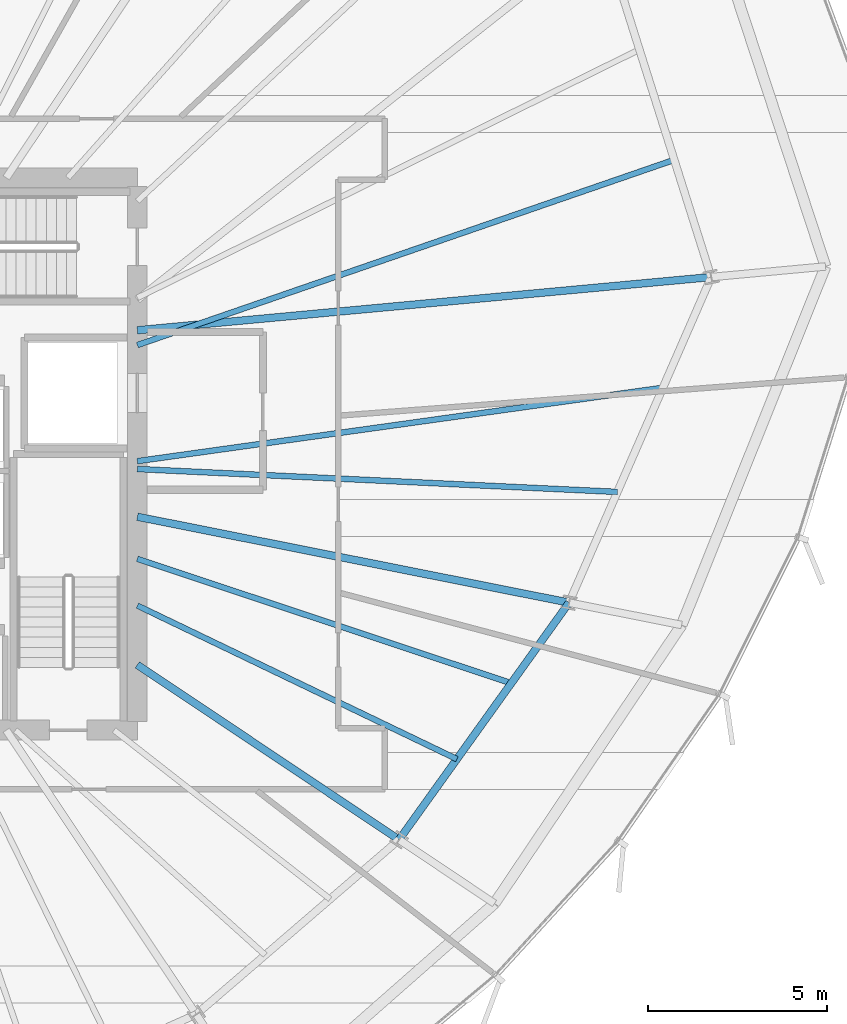
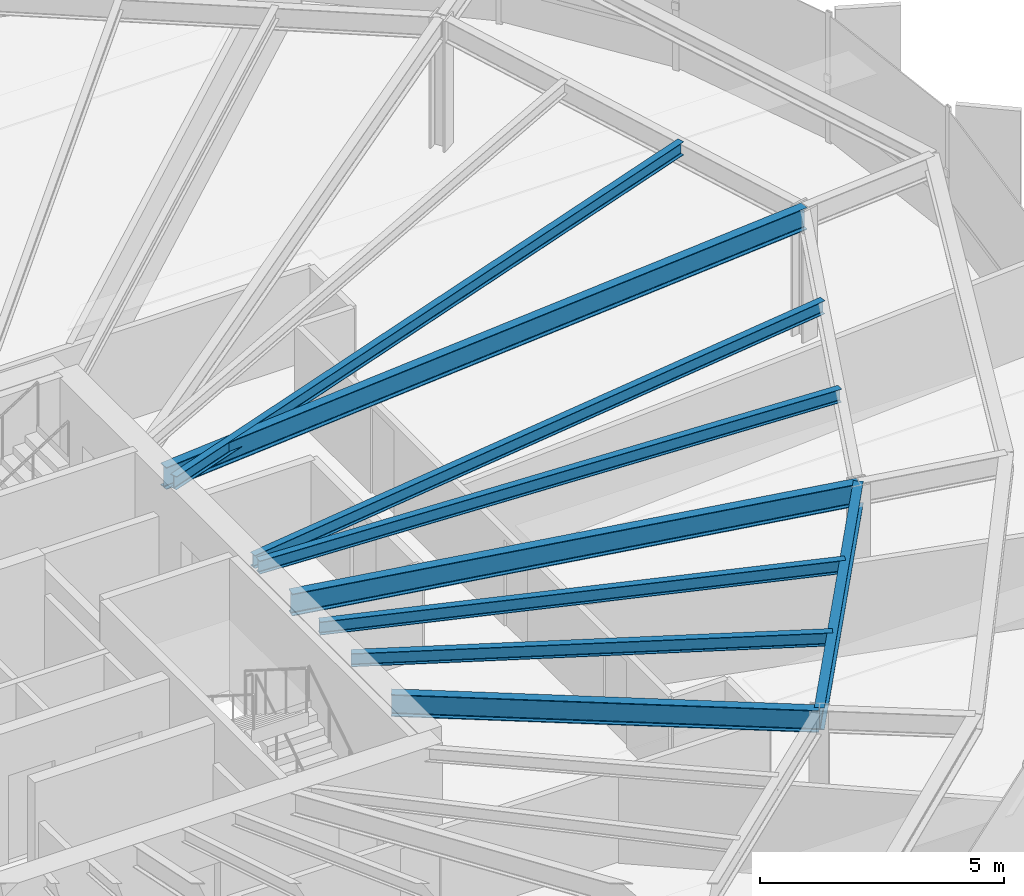
# One storey, part 15 of 35: 9 beams.
"""IFC4 building model written with IfcOpenShell, lengths in metres."""

from ifc_helpers import new_model, si_unit, direction, frame, origin, origin_2d, place, context, subcontext, project, spatial, i_section, extrude, source, transform, mapped, material, material_profile, profile_set, type_object, element, save


model = new_model("IFC4")

# Units and contexts
model_context = context("Model", 3, precision=1e-05, world=origin(), true_north=direction((0.0, 1.0)))
body_context = subcontext(model_context, "Body", "Model", "MODEL_VIEW")
ifc_project = project(units=[si_unit("LENGTHUNIT", "METRE"), si_unit("AREAUNIT", "SQUARE_METRE"), si_unit("VOLUMEUNIT", "CUBIC_METRE"), si_unit("PLANEANGLEUNIT", "RADIAN"), si_unit("MASSUNIT", "GRAM", prefix="KILO"), si_unit("THERMODYNAMICTEMPERATUREUNIT", "KELVIN")], contexts=[model_context])

# Site, building, storey
site_placement = place(None, origin())
site = spatial("IfcSite", under=ifc_project, at=site_placement, CompositionType="ELEMENT")
building_placement = place(site_placement, origin())
building = spatial("IfcBuilding", under=site, at=building_placement, Name="Kethvar Cultural Tower", CompositionType="ELEMENT")
storey_placement = place(building_placement, frame((0.0, 0.0, 146.550048828125)))
storey = spatial("IfcBuildingStorey", under=building, at=storey_placement, Name="L37", CompositionType="ELEMENT", Elevation=146.550048828125)

# Beams
ifc_material = material(Name="Steel S355J2", Category="steel")
ifc_material_profile_1 = material_profile(ifc_material, i_section(OverallWidth=0.2099609375, OverallDepth=0.550048828125, WebThickness=0.010986328125, FlangeThickness=0.01708984375, FilletRadius=0.02392578125, at=origin_2d()), Name="Steel S355J2 — IPE550")
ifc_profile_set_1 = profile_set([ifc_material_profile_1], Name="Steel S355J2 — IPE550")
beam_type_1 = type_object("IfcBeamType", Name="BM-IPE550", PredefinedType="BEAM", material=ifc_profile_set_1)
shared_shape_1 = source(origin(), body_context, "Body", "SweptSolid", [
    extrude(i_section(OverallWidth=0.2099609375, OverallDepth=0.550048828125, WebThickness=0.010986328125, FlangeThickness=0.01708984375, FilletRadius=0.02392578125, at=origin_2d()), origin(), (0.0, 0.0, 1.0), 16.071044921875),
])
beam_1_placement = place(storey_placement, frame((55.60009765625, 31.25, 3.02294921875), z_axis=(0.995731009363, 0.092302529718, 0.0), x_axis=(-0.092302529718, 0.995731009363, 0.0)))
element("IfcBeam", 1, at=beam_1_placement, inside=storey, type_object=beam_type_1, Name="L37 Primary Radial Beam RB-01", PredefinedType="BEAM", context=body_context, shape_type="MappedRepresentation", body=[
    mapped(shared_shape_1, transform((0.0, 0.0, 0.0), scale=1.0)),
])
shared_shape_2 = source(origin(), body_context, "Body", "SweptSolid", [
    extrude(i_section(OverallWidth=0.2099609375, OverallDepth=0.550048828125, WebThickness=0.010986328125, FlangeThickness=0.01708984375, FilletRadius=0.02392578125, at=origin_2d()), origin(), (0.0, 0.0, 1.0), 8.77783203125),
])
beam_2_placement = place(storey_placement, frame((55.60009765625, 21.919921875, 3.02294921875), z_axis=(0.831472186778, -0.555566380026, 0.0), x_axis=(0.555566380026, 0.831472186778, 0.0)))
element("IfcBeam", 2, at=beam_2_placement, inside=storey, type_object=beam_type_1, Name="L37 Primary Radial Beam RB-15", PredefinedType="BEAM", context=body_context, shape_type="MappedRepresentation", body=[
    mapped(shared_shape_2, transform((0.0, 0.0, 0.0), scale=1.0)),
])
shared_shape_3 = source(origin(), body_context, "Body", "SweptSolid", [
    extrude(i_section(OverallWidth=0.2099609375, OverallDepth=0.550048828125, WebThickness=0.010986328125, FlangeThickness=0.01708984375, FilletRadius=0.02392578125, at=origin_2d()), origin(), (0.0, 0.0, 1.0), 12.2744140625),
])
beam_3_placement = place(storey_placement, frame((55.60009765625, 26.049560546875, 3.02294921875), z_axis=(0.980782878234, -0.195102398146, 0.0), x_axis=(0.195102398146, 0.980782878234, 0.0)))
element("IfcBeam", 3, at=beam_3_placement, inside=storey, type_object=beam_type_1, Name="L37 Primary Radial Beam RB-16", PredefinedType="BEAM", context=body_context, shape_type="MappedRepresentation", body=[
    mapped(shared_shape_3, transform((0.0, 0.0, 0.0), scale=1.0)),
])
ifc_material_profile_2 = material_profile(ifc_material, i_section(OverallWidth=0.159912109375, OverallDepth=0.330078125, WebThickness=0.007568359375, FlangeThickness=0.011474609375, FilletRadius=0.01806640625, at=origin_2d()), Name="Steel S355J2 — IPE330")
ifc_profile_set_2 = profile_set([ifc_material_profile_2], Name="Steel S355J2 — IPE330")
beam_type_2 = type_object("IfcBeamType", Name="BM-J330", PredefinedType="JOIST", material=ifc_profile_set_2)
shared_shape_4 = source(origin(), body_context, "Body", "SweptSolid", [
    extrude(i_section(OverallWidth=0.159912109375, OverallDepth=0.330078125, WebThickness=0.007568359375, FlangeThickness=0.011474609375, FilletRadius=0.01806640625, at=origin_2d()), origin(), (0.0, 0.0, 1.0), 15.836669921875),
])
beam_4_placement = place(storey_placement, frame((55.60009765625, 30.836181640625, 3.133056640625), z_axis=(0.945315135904, 0.326158387644, 0.0), x_axis=(-0.326158387644, 0.945315135904, 0.0)))
element("IfcBeam", 4, at=beam_4_placement, inside=storey, type_object=beam_type_2, Name="L37 Composite Floor Joist J-01A", PredefinedType="JOIST", context=body_context, shape_type="MappedRepresentation", body=[
    mapped(shared_shape_4, transform((0.0, 0.0, 0.0), scale=1.0)),
])
shared_shape_5 = source(origin(), body_context, "Body", "SweptSolid", [
    extrude(i_section(OverallWidth=0.2099609375, OverallDepth=0.550048828125, WebThickness=0.010986328125, FlangeThickness=0.01708984375, FilletRadius=0.02392578125, at=origin_2d()), origin(), (0.0, 0.0, 1.0), 8.13525390625),
])
beam_5_placement = place(storey_placement, frame((62.898681640625, 17.043212890625, 3.02294921875), z_axis=(0.582656731995, 0.812718359988, 0.0), x_axis=(-0.812718359988, 0.582656731995, 0.0)))
element("IfcBeam", 5, at=beam_5_placement, inside=storey, type_object=beam_type_1, Name="L37 Column Ring Tie Beam CR-15", PredefinedType="BEAM", context=body_context, shape_type="MappedRepresentation", body=[
    mapped(shared_shape_5, transform((0.0, 0.0, 0.0), scale=1.0)),
])
shared_shape_6 = source(origin(), body_context, "Body", "SweptSolid", [
    extrude(i_section(OverallWidth=0.159912109375, OverallDepth=0.330078125, WebThickness=0.007568359375, FlangeThickness=0.011474609375, FilletRadius=0.01806640625, at=origin_2d()), origin(), (0.0, 0.0, 1.0), 9.885009765625),
])
beam_6_placement = place(storey_placement, frame((55.60009765625, 23.572021484375, 3.133056640625), z_axis=(0.901369611334, -0.43305060185, 0.0), x_axis=(0.43305060185, 0.901369611334, 0.0)))
element("IfcBeam", 6, at=beam_6_placement, inside=storey, type_object=beam_type_2, Name="L37 Composite Floor Joist J-15A", PredefinedType="JOIST", context=body_context, shape_type="MappedRepresentation", body=[
    mapped(shared_shape_6, transform((0.0, 0.0, 0.0), scale=1.0)),
])
shared_shape_7 = source(origin(), body_context, "Body", "SweptSolid", [
    extrude(i_section(OverallWidth=0.159912109375, OverallDepth=0.330078125, WebThickness=0.007568359375, FlangeThickness=0.011474609375, FilletRadius=0.01806640625, at=origin_2d()), origin(), (0.0, 0.0, 1.0), 10.98828125),
])
beam_7_placement = place(storey_placement, frame((55.60009765625, 24.8740234375, 3.133056640625), z_axis=(0.948918548228, -0.315521138481, 0.0), x_axis=(0.315521138481, 0.948918548228, 0.0)))
element("IfcBeam", 7, at=beam_7_placement, inside=storey, type_object=beam_type_2, Name="L37 Composite Floor Joist J-15B", PredefinedType="JOIST", context=body_context, shape_type="MappedRepresentation", body=[
    mapped(shared_shape_7, transform((0.0, 0.0, 0.0), scale=1.0)),
])
shared_shape_8 = source(origin(), body_context, "Body", "SweptSolid", [
    extrude(i_section(OverallWidth=0.159912109375, OverallDepth=0.330078125, WebThickness=0.007568359375, FlangeThickness=0.011474609375, FilletRadius=0.01806640625, at=origin_2d()), origin(), (0.0, 0.0, 1.0), 13.4013671875),
])
beam_8_placement = place(storey_placement, frame((55.60009765625, 27.380126953125, 3.133056640625), z_axis=(0.998864631653, -0.047638719894, 0.0), x_axis=(0.047638719894, 0.998864631653, 0.0)))
element("IfcBeam", 8, at=beam_8_placement, inside=storey, type_object=beam_type_2, Name="L37 Composite Floor Joist J-16A", PredefinedType="JOIST", context=body_context, shape_type="MappedRepresentation", body=[
    mapped(shared_shape_8, transform((0.0, 0.0, 0.0), scale=1.0)),
])
shared_shape_9 = source(origin(), body_context, "Body", "SweptSolid", [
    extrude(i_section(OverallWidth=0.159912109375, OverallDepth=0.330078125, WebThickness=0.007568359375, FlangeThickness=0.011474609375, FilletRadius=0.01806640625, at=origin_2d()), origin(), (0.0, 0.0, 1.0), 14.797119140625),
])
beam_9_placement = place(storey_placement, frame((55.60009765625, 27.60009765625, 3.133056640625), z_axis=(0.990388450305, 0.138313836986, 0.0), x_axis=(-0.138313836986, 0.990388450305, 0.0)))
element("IfcBeam", 9, at=beam_9_placement, inside=storey, type_object=beam_type_2, Name="L37 Composite Floor Joist J-16B", PredefinedType="JOIST", context=body_context, shape_type="MappedRepresentation", body=[
    mapped(shared_shape_9, transform((0.0, 0.0, 0.0), scale=1.0)),
])

save(model, "model.ifc")
